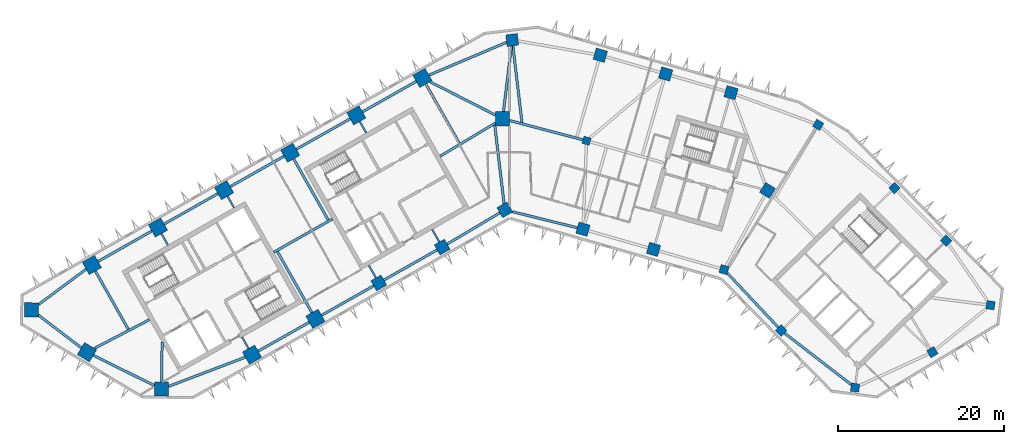
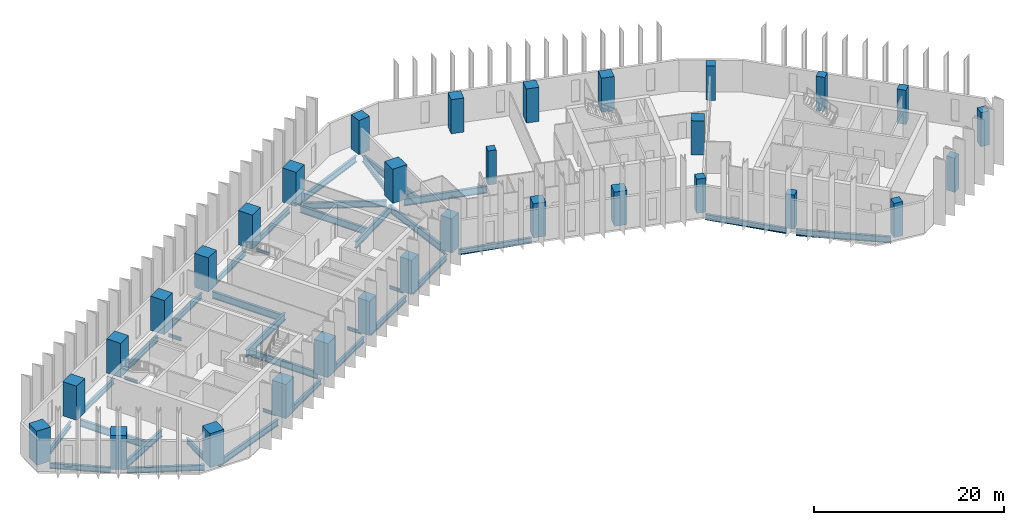
# One storey, part 1 of 11: 36 beams, 31 columns.
"""IFC4 building model written with IfcOpenShell, lengths in metres."""

from ifc_helpers import new_model, si_unit, direction, frame, origin, origin_2d, place, context, subcontext, project, spatial, rectangle, i_section, extrude, material, material_profile, profile_set, type_object, element, save


model = new_model("IFC4")

# Units and contexts
model_context = context("Model", 3, precision=1e-05, world=origin(), true_north=direction((0.0, 1.0)))
body_context = subcontext(model_context, "Body", "Model", "MODEL_VIEW")
ifc_project = project(units=[si_unit("LENGTHUNIT", "METRE"), si_unit("AREAUNIT", "SQUARE_METRE"), si_unit("VOLUMEUNIT", "CUBIC_METRE"), si_unit("PLANEANGLEUNIT", "RADIAN"), si_unit("MASSUNIT", "GRAM", prefix="KILO")], contexts=[model_context])

# Site, building, storey
site_placement = place(None, origin())
site = spatial("IfcSite", under=ifc_project, at=site_placement, CompositionType="ELEMENT")
building_placement = place(site_placement, origin())
building = spatial("IfcBuilding", under=site, at=building_placement, Name="Binnacle Exchange Tower", CompositionType="ELEMENT")
storey_placement = place(building_placement, frame((0.0, 0.0, 105.89990234375)))
storey = spatial("IfcBuildingStorey", under=building, at=storey_placement, Name="L21", CompositionType="ELEMENT", Elevation=105.89990234375)

# Columns
ifc_material_1 = material(Name="Concrete C60/75", Category="concrete")
ifc_material_profile_1 = material_profile(ifc_material_1, rectangle(XDim=0.89990234375, YDim=0.89990234375, at=origin_2d()), Name="Column 900x900 C60/75")
ifc_profile_set_1 = profile_set([ifc_material_profile_1], Name="Concrete C60/75")
column_type_1 = type_object("IfcColumnType", Name="Column 900x900 C60/75", PredefinedType="COLUMN", material=ifc_profile_set_1)
column_placement = place(storey_placement, frame((9.240966796875, 57.35009765625, 0.0), z_axis=(0.0, 0.0, 1.0), x_axis=(0.961261695938, -0.275637355817, 0.0)))
element("IfcColumn", 1, at=column_placement, inside=storey, type_object=column_type_1, Name="S:COL:C19:L21", PredefinedType="COLUMN", context=body_context, shape_type="SweptSolid", body=[
    extrude(rectangle(XDim=0.89990234375, YDim=0.89990234375, at=origin_2d()), origin(), (0.0, 0.0, 1.0), 4.400146484375),
])
ifc_material_2 = material(Name="Concrete C70/85", Category="concrete")
ifc_material_profile_2 = material_profile(ifc_material_2, rectangle(XDim=1.0, YDim=1.0, at=origin_2d()), Name="Mega column 1000x1000 C70/85")
ifc_profile_set_2 = profile_set([ifc_material_profile_2], Name="Concrete C70/85")
column_type_2 = type_object("IfcColumnType", Name="Mega column 1000x1000 C70/85", PredefinedType="COLUMN", material=ifc_profile_set_2)
for number, where, z_axis, x_axis, name in (
    (2, (37.0849609375, 59.262451171875, 0.0), (0.0, 0.0, 1.0), (-0.859406411501, 0.511293086077, 0.0), "S:COL:MC57:L21"),
    (3, (25.766845703125, 41.85986328125, 0.0), (0.0, 0.0, 1.0), (0.961261695938, -0.275637355817, 0.0), "S:COL:MC56:L21"),
    (4, (32.64111328125, 34.530029296875, 0.0), (0.0, 0.0, 1.0), (0.7009092643, -0.713250449154, 0.0), "S:COL:MC59:L21"),
    (5, (41.519775390625, 27.6748046875, 0.0), (0.0, 0.0, 1.0), (0.99200494968, -0.126198969136, 0.0), "S:COL:MC61:L21"),
    (6, (50.81201171875, 31.930908203125, 0.0), (0.0, 0.0, 1.0), (0.857167300702, 0.51503807491, 0.0), "S:COL:MC63:L21"),
    (7, (57.799072265625, 37.5810546875, 0.0), (0.0, 0.0, 1.0), (0.126198969136, 0.99200494968, 0.0), "S:COL:MC62:L21"),
    (8, (52.466796875, 45.33935546875, 0.0), (0.0, 0.0, 1.0), (-0.7009092643, 0.713250449154, 0.0), "S:COL:MC60:L21"),
    (9, (46.248291015625, 51.667236328125, 0.0), (0.0, 0.0, 1.0), (-0.7009092643, 0.713250449154, 0.0), "S:COL:MC58:L21"),
):
    element("IfcColumn", number, at=place(storey_placement, frame(where, z_axis=z_axis, x_axis=x_axis)), inside=storey, type_object=column_type_2, Name=name, PredefinedType="COLUMN", context=body_context, shape_type="SweptSolid", body=[
        extrude(rectangle(XDim=1.0, YDim=1.0, at=origin_2d()), origin(), (0.0, 0.0, 1.0), 4.400146484375),
    ])
ifc_material_profile_3 = material_profile(ifc_material_2, rectangle(XDim=1.39990234375, YDim=1.39990234375, at=origin_2d()), Name="Mega column 1400x1400 C70/85")
ifc_profile_set_3 = profile_set([ifc_material_profile_3], Name="Concrete C70/85")
column_type_3 = type_object("IfcColumnType", Name="Mega column 1400x1400 C70/85", PredefinedType="COLUMN", material=ifc_profile_set_3)
for number, where, z_axis, x_axis, name in (
    (10, (26.602783203125, 63.12353515625, 0.0), (0.0, 0.0, 1.0), (-0.961261695938, 0.275637355817, 0.0), "S:COL:MC52:L21"),
    (11, (18.746337890625, 65.376220703125, 0.0), (0.0, 0.0, 1.0), (-0.961261695938, 0.275637355817, 0.0), "S:COL:MC50:L21"),
    (12, (10.889892578125, 67.62890625, 0.0), (0.0, 0.0, 1.0), (-0.961261695938, 0.275637355817, 0.0), "S:COL:MC48:L21"),
    (13, (0.300048828125, 69.464111328125, 0.0), (0.0, 0.0, 1.0), (-0.993068456955, -0.117537397458, 0.0), "S:COL:MC47:L21"),
    (14, (-15.736328125, 40.257080078125, 0.0), (0.0, 0.0, 1.0), (0.87035569594, 0.492423560103, 0.0), "S:COL:MC24:L21"),
    (15, (-8.116943359375, 44.568115234375, 0.0), (0.0, 0.0, 1.0), (0.87035569594, 0.492423560103, 0.0), "S:COL:MC35:L21"),
    (16, (-0.5908203125, 49.04443359375, 0.0), (0.0, 0.0, 1.0), (0.87035569594, 0.492423560103, 0.0), "S:COL:MC46:L21"),
    (17, (8.8095703125, 46.722412109375, 0.0), (0.0, 0.0, 1.0), (0.961261695938, -0.275637355817, 0.0), "S:COL:MC49:L21"),
    (18, (17.2880859375, 44.291015625, 0.0), (0.0, 0.0, 1.0), (0.961261695938, -0.275637355817, 0.0), "S:COL:MC51:L21"),
    (19, (30.989501953125, 51.38623046875, 0.0), (0.0, 0.0, 1.0), (0.529919264233, 0.848048096156, 0.0), "S:COL:MC55:L21"),
):
    element("IfcColumn", number, at=place(storey_placement, frame(where, z_axis=z_axis, x_axis=x_axis)), inside=storey, type_object=column_type_3, Name=name, PredefinedType="COLUMN", context=body_context, shape_type="SweptSolid", body=[
        extrude(rectangle(XDim=1.39990234375, YDim=1.39990234375, at=origin_2d()), origin(), (0.0, 0.0, 1.0), 4.400146484375),
    ])
ifc_material_profile_4 = material_profile(ifc_material_2, rectangle(XDim=1.699951171875, YDim=1.699951171875, at=origin_2d()), Name="Mega column 1700x1700 C70/85")
ifc_profile_set_4 = profile_set([ifc_material_profile_4], Name="Concrete C70/85")
column_type_4 = type_object("IfcColumnType", Name="Mega column 1700x1700 C70/85", PredefinedType="COLUMN", material=ifc_profile_set_4)
for number, where, z_axis, x_axis, name in (
    (20, (-10.4951171875, 64.901611328125, 0.0), (0.0, 0.0, 1.0), (-0.87035569594, -0.492423560103, 0.0), "S:COL:MC38:L21"),
    (21, (-18.44140625, 60.406005859375, 0.0), (0.0, 0.0, 1.0), (-0.87035569594, -0.492423560103, 0.0), "S:COL:MC29:L21"),
    (22, (-26.3876953125, 55.91015625, 0.0), (0.0, 0.0, 1.0), (-0.87035569594, -0.492423560103, 0.0), "S:COL:MC21:L21"),
    (23, (-34.333740234375, 51.414306640625, 0.0), (0.0, 0.0, 1.0), (-0.87035569594, -0.492423560103, 0.0), "S:COL:MC13:L21"),
    (24, (-42.280029296875, 46.918701171875, 0.0), (0.0, 0.0, 1.0), (-0.87035569594, -0.492423560103, 0.0), "S:COL:MC08:L21"),
    (25, (-50.226318359375, 42.4228515625, 0.0), (0.0, 0.0, 1.0), (-0.87035569594, -0.492423560103, 0.0), "S:COL:MC04:L21"),
    (26, (-57.492919921875, 37.02734375, 0.0), (0.0, 0.0, 1.0), (-0.013089595571, -0.999914327574, 0.0), "S:COL:MC02:L21"),
    (27, (-50.81201171875, 31.930908203125, 0.0), (0.0, 0.0, 1.0), (0.857167300702, -0.51503807491, 0.0), "S:COL:MC01:L21"),
    (28, (-41.857666015625, 27.494873046875, 0.0), (0.0, 0.0, 1.0), (0.999914327574, -0.013089595571, 0.0), "S:COL:MC03:L21"),
    (29, (-30.9755859375, 31.63525390625, 0.0), (0.0, 0.0, 1.0), (0.87035569594, 0.492423560103, 0.0), "S:COL:MC07:L21"),
    (30, (-23.35595703125, 35.9462890625, 0.0), (0.0, 0.0, 1.0), (0.87035569594, 0.492423560103, 0.0), "S:COL:MC16:L21"),
    (31, (-0.85009765625, 60.0, 0.0), (0.0, 0.0, 1.0), (0.0, 1.0, 0.0), "S:COL:MC45:L21"),
):
    element("IfcColumn", number, at=place(storey_placement, frame(where, z_axis=z_axis, x_axis=x_axis)), inside=storey, type_object=column_type_4, Name=name, PredefinedType="COLUMN", context=body_context, shape_type="SweptSolid", body=[
        extrude(rectangle(XDim=1.699951171875, YDim=1.699951171875, at=origin_2d()), origin(), (0.0, 0.0, 1.0), 4.400146484375),
    ])

# Beams
ifc_material_3 = material(Name="Steel S355 (SHN355)", Category="steel")
ifc_material_profile_5 = material_profile(ifc_material_3, i_section(OverallWidth=0.300048828125, OverallDepth=0.699951171875, WebThickness=0.012939453125, FlangeThickness=0.02392578125, FilletRadius=0.028076171875, at=origin_2d()), Name="H 700x300x13x24")
ifc_profile_set_5 = profile_set([ifc_material_profile_5], Name="Steel S355 (SHN355)")
beam_type_1 = type_object("IfcBeamType", Name="Edge girder H 700x300x13x24 Steel S355 (SHN355)", PredefinedType="SPANDREL", material=ifc_profile_set_5)
beam_1_placement = place(storey_placement, frame((-56.6513671875, 36.38525390625, -0.669921875), z_axis=(0.795093040263, -0.606487474994, 0.0), x_axis=(0.606487474994, 0.795093040263, 0.0)))
element("IfcBeam", 32, at=beam_1_placement, inside=storey, type_object=beam_type_1, Name="S:BM:edge:L21:015", PredefinedType="SPANDREL", context=body_context, shape_type="SweptSolid", body=[
    extrude(i_section(OverallWidth=0.300048828125, OverallDepth=0.699951171875, WebThickness=0.012939453125, FlangeThickness=0.02392578125, FilletRadius=0.028076171875, at=origin_2d()), origin(), (0.0, 0.0, 1.0), 6.489013671875),
])
beam_2_placement = place(storey_placement, frame((-50.913818359375, 41.912353515625, -0.669921875), z_axis=(-0.80288535334, -0.59613346609, 0.0), x_axis=(0.59613346609, -0.80288535334, 0.0)))
element("IfcBeam", 33, at=beam_2_placement, inside=storey, type_object=beam_type_1, Name="S:BM:edge:L21:016", PredefinedType="SPANDREL", context=body_context, shape_type="SweptSolid", body=[
    extrude(i_section(OverallWidth=0.300048828125, OverallDepth=0.699951171875, WebThickness=0.012939453125, FlangeThickness=0.02392578125, FilletRadius=0.028076171875, at=origin_2d()), origin(), (0.0, 0.0, 1.0), 7.125244140625),
])
beam_3_placement = place(storey_placement, frame((-43.019775390625, 46.5, -0.669921875), z_axis=(-0.870364477798, -0.492408037898, 0.0), x_axis=(0.492408037898, -0.870364477798, 0.0)))
element("IfcBeam", 34, at=beam_3_placement, inside=storey, type_object=beam_type_1, Name="S:BM:edge:L21:018", PredefinedType="SPANDREL", context=body_context, shape_type="SweptSolid", body=[
    extrude(i_section(OverallWidth=0.300048828125, OverallDepth=0.699951171875, WebThickness=0.012939453125, FlangeThickness=0.02392578125, FilletRadius=0.028076171875, at=origin_2d()), origin(), (0.0, 0.0, 1.0), 7.4296875),
])
beam_4_placement = place(storey_placement, frame((-35.073486328125, 50.995849609375, -0.669921875), z_axis=(-0.870372444894, -0.492393955253, 0.0), x_axis=(0.492393955253, -0.870372444894, 0.0)))
element("IfcBeam", 35, at=beam_4_placement, inside=storey, type_object=beam_type_1, Name="S:BM:edge:L21:020", PredefinedType="SPANDREL", context=body_context, shape_type="SweptSolid", body=[
    extrude(i_section(OverallWidth=0.300048828125, OverallDepth=0.699951171875, WebThickness=0.012939453125, FlangeThickness=0.02392578125, FilletRadius=0.028076171875, at=origin_2d()), origin(), (0.0, 0.0, 1.0), 7.429931640625),
])
beam_5_placement = place(storey_placement, frame((-30.23583984375, 32.053955078125, -0.669921875), z_axis=(0.870373276953, 0.492392484473, 0.0), x_axis=(-0.492392484473, 0.870373276953, 0.0)))
element("IfcBeam", 36, at=beam_5_placement, inside=storey, type_object=beam_type_1, Name="S:BM:edge:L21:021", PredefinedType="SPANDREL", context=body_context, shape_type="SweptSolid", body=[
    extrude(i_section(OverallWidth=0.300048828125, OverallDepth=0.699951171875, WebThickness=0.012939453125, FlangeThickness=0.02392578125, FilletRadius=0.028076171875, at=origin_2d()), origin(), (0.0, 0.0, 1.0), 7.0546875),
])
beam_6_placement = place(storey_placement, frame((-27.12744140625, 55.49169921875, -0.669921875), z_axis=(-0.870350394687, -0.492432929919, 0.0), x_axis=(0.492432929919, -0.870350394687, 0.0)))
element("IfcBeam", 37, at=beam_6_placement, inside=storey, type_object=beam_type_1, Name="S:BM:edge:L21:022", PredefinedType="SPANDREL", context=body_context, shape_type="SweptSolid", body=[
    extrude(i_section(OverallWidth=0.300048828125, OverallDepth=0.699951171875, WebThickness=0.012939453125, FlangeThickness=0.02392578125, FilletRadius=0.028076171875, at=origin_2d()), origin(), (0.0, 0.0, 1.0), 7.429931640625),
])
beam_7_placement = place(storey_placement, frame((-22.6162109375, 36.36474609375, -0.669921875), z_axis=(0.870345646157, 0.492441322612, 0.0), x_axis=(-0.492441322612, 0.870345646157, 0.0)))
element("IfcBeam", 38, at=beam_7_placement, inside=storey, type_object=beam_type_1, Name="S:BM:edge:L21:023", PredefinedType="SPANDREL", context=body_context, shape_type="SweptSolid", body=[
    extrude(i_section(OverallWidth=0.300048828125, OverallDepth=0.699951171875, WebThickness=0.012939453125, FlangeThickness=0.02392578125, FilletRadius=0.028076171875, at=origin_2d()), origin(), (0.0, 0.0, 1.0), 7.20458984375),
])
beam_8_placement = place(storey_placement, frame((-19.18115234375, 59.9873046875, -0.669921875), z_axis=(-0.870364477798, -0.492408037898, 0.0), x_axis=(0.492408037898, -0.870364477798, 0.0)))
element("IfcBeam", 39, at=beam_8_placement, inside=storey, type_object=beam_type_1, Name="S:BM:edge:L21:024", PredefinedType="SPANDREL", context=body_context, shape_type="SweptSolid", body=[
    extrude(i_section(OverallWidth=0.300048828125, OverallDepth=0.699951171875, WebThickness=0.012939453125, FlangeThickness=0.02392578125, FilletRadius=0.028076171875, at=origin_2d()), origin(), (0.0, 0.0, 1.0), 7.4296875),
])
beam_9_placement = place(storey_placement, frame((-15.127197265625, 40.601806640625, -0.669921875), z_axis=(0.870355645737, 0.492423648837, 0.0), x_axis=(-0.492423648837, 0.870355645737, 0.0)))
element("IfcBeam", 40, at=beam_9_placement, inside=storey, type_object=beam_type_1, Name="S:BM:edge:L21:025", PredefinedType="SPANDREL", context=body_context, shape_type="SweptSolid", body=[
    extrude(i_section(OverallWidth=0.300048828125, OverallDepth=0.699951171875, WebThickness=0.012939453125, FlangeThickness=0.02392578125, FilletRadius=0.028076171875, at=origin_2d()), origin(), (0.0, 0.0, 1.0), 7.3544921875),
])
beam_10_placement = place(storey_placement, frame((-11.23486328125, 64.483154296875, -0.669921875), z_axis=(-0.870364477798, -0.492408037898, 0.0), x_axis=(0.492408037898, -0.870364477798, 0.0)))
element("IfcBeam", 41, at=beam_10_placement, inside=storey, type_object=beam_type_1, Name="S:BM:edge:L21:026", PredefinedType="SPANDREL", context=body_context, shape_type="SweptSolid", body=[
    extrude(i_section(OverallWidth=0.300048828125, OverallDepth=0.699951171875, WebThickness=0.012939453125, FlangeThickness=0.02392578125, FilletRadius=0.028076171875, at=origin_2d()), origin(), (0.0, 0.0, 1.0), 7.4296875),
])
beam_11_placement = place(storey_placement, frame((-7.51513671875, 44.926025390625, -0.669921875), z_axis=(0.859466137143, 0.511192682952, 0.0), x_axis=(-0.511192682952, 0.859466137143, 0.0)))
element("IfcBeam", 42, at=beam_11_placement, inside=storey, type_object=beam_type_1, Name="S:BM:edge:L21:027", PredefinedType="SPANDREL", context=body_context, shape_type="SweptSolid", body=[
    extrude(i_section(OverallWidth=0.300048828125, OverallDepth=0.699951171875, WebThickness=0.012939453125, FlangeThickness=0.02392578125, FilletRadius=0.028076171875, at=origin_2d()), origin(), (0.0, 0.0, 1.0), 7.356201171875),
])
beam_12_placement = place(storey_placement, frame((0.343994140625, 48.8134765625, -0.669921875), z_axis=(0.970820959584, -0.239805472064, 0.0), x_axis=(0.239805472064, 0.970820959584, 0.0)))
element("IfcBeam", 43, at=beam_12_placement, inside=storey, type_object=beam_type_1, Name="S:BM:edge:L21:029", PredefinedType="SPANDREL", context=body_context, shape_type="SweptSolid", body=[
    extrude(i_section(OverallWidth=0.300048828125, OverallDepth=0.699951171875, WebThickness=0.012939453125, FlangeThickness=0.02392578125, FilletRadius=0.028076171875, at=origin_2d()), origin(), (0.0, 0.0, 1.0), 8.019287109375),
])
ifc_material_profile_6 = material_profile(ifc_material_3, i_section(OverallWidth=0.302001953125, OverallDepth=0.7080078125, WebThickness=0.014892578125, FlangeThickness=0.028076171875, FilletRadius=0.028076171875, at=origin_2d()), Name="H 708x302x15x28")
ifc_profile_set_6 = profile_set([ifc_material_profile_6], Name="Steel S355 (SHN355)")
beam_type_2 = type_object("IfcBeamType", Name="Edge girder H 708x302x15x28 Steel S355 (SHN355)", PredefinedType="SPANDREL", material=ifc_profile_set_6)
beam_13_placement = place(storey_placement, frame((-50.0478515625, 31.55224609375, -0.673828125), z_axis=(0.896059216286, -0.443934545749, 0.0), x_axis=(0.443934545749, 0.896059216286, 0.0)))
element("IfcBeam", 44, at=beam_13_placement, inside=storey, type_object=beam_type_2, Name="S:BM:edge:L21:017", PredefinedType="SPANDREL", context=body_context, shape_type="SweptSolid", body=[
    extrude(i_section(OverallWidth=0.302001953125, OverallDepth=0.7080078125, WebThickness=0.014892578125, FlangeThickness=0.028076171875, FilletRadius=0.028076171875, at=origin_2d()), origin(), (0.0, 0.0, 1.0), 8.197509765625),
])
beam_14_placement = place(storey_placement, frame((26.165283203125, 41.43505859375, -0.673828125), z_axis=(0.684076068391, -0.729410674898, 0.0), x_axis=(0.729410674898, 0.684076068391, 0.0)))
element("IfcBeam", 45, at=beam_14_placement, inside=storey, type_object=beam_type_2, Name="S:BM:edge:L21:035", PredefinedType="SPANDREL", context=body_context, shape_type="SweptSolid", body=[
    extrude(i_section(OverallWidth=0.302001953125, OverallDepth=0.7080078125, WebThickness=0.014892578125, FlangeThickness=0.028076171875, FilletRadius=0.028076171875, at=origin_2d()), origin(), (0.0, 0.0, 1.0), 8.966552734375),
])
ifc_material_profile_7 = material_profile(ifc_material_3, i_section(OverallWidth=0.302001953125, OverallDepth=0.80810546875, WebThickness=0.01611328125, FlangeThickness=0.030029296875, FilletRadius=0.028076171875, at=origin_2d()), Name="H 808x302x16x30")
ifc_profile_set_7 = profile_set([ifc_material_profile_7], Name="Steel S355 (SHN355)")
beam_type_3 = type_object("IfcBeamType", Name="Edge girder H 808x302x16x30 Steel S355 (SHN355)", PredefinedType="SPANDREL", material=ifc_profile_set_7)
beam_15_placement = place(storey_placement, frame((-41.00341796875, 27.81982421875, -0.723876953125), z_axis=(0.934628738252, 0.355624973297, 0.0), x_axis=(-0.355624973297, 0.934628738252, 0.0)))
element("IfcBeam", 46, at=beam_15_placement, inside=storey, type_object=beam_type_3, Name="S:BM:edge:L21:019", PredefinedType="SPANDREL", context=body_context, shape_type="SweptSolid", body=[
    extrude(i_section(OverallWidth=0.302001953125, OverallDepth=0.80810546875, WebThickness=0.01611328125, FlangeThickness=0.030029296875, FilletRadius=0.028076171875, at=origin_2d()), origin(), (0.0, 0.0, 1.0), 9.869384765625),
])
beam_16_placement = place(storey_placement, frame((-0.37109375, 69.180419921875, -0.723876953125), z_axis=(-0.921114465748, -0.389291845523, 0.0), x_axis=(0.389291845523, -0.921114465748, 0.0)))
element("IfcBeam", 47, at=beam_16_placement, inside=storey, type_object=beam_type_3, Name="S:BM:edge:L21:028", PredefinedType="SPANDREL", context=body_context, shape_type="SweptSolid", body=[
    extrude(i_section(OverallWidth=0.302001953125, OverallDepth=0.80810546875, WebThickness=0.01611328125, FlangeThickness=0.030029296875, FilletRadius=0.028076171875, at=origin_2d()), origin(), (0.0, 0.0, 1.0), 10.13525390625),
])
beam_17_placement = place(storey_placement, frame((33.040771484375, 34.2216796875, -0.723876953125), z_axis=(0.791519159984, -0.611144352324, 0.0), x_axis=(0.611144352324, 0.791519159984, 0.0)))
element("IfcBeam", 48, at=beam_17_placement, inside=storey, type_object=beam_type_3, Name="S:BM:edge:L21:036", PredefinedType="SPANDREL", context=body_context, shape_type="SweptSolid", body=[
    extrude(i_section(OverallWidth=0.302001953125, OverallDepth=0.80810546875, WebThickness=0.01611328125, FlangeThickness=0.030029296875, FilletRadius=0.028076171875, at=origin_2d()), origin(), (0.0, 0.0, 1.0), 10.13232421875),
])
ifc_material_profile_8 = material_profile(ifc_material_3, i_section(OverallWidth=0.199951171875, OverallDepth=0.39990234375, WebThickness=0.008056640625, FlangeThickness=0.012939453125, FilletRadius=0.01611328125, at=origin_2d()), Name="H 400x200x8x13")
ifc_profile_set_8 = profile_set([ifc_material_profile_8], Name="Steel S355 (SHN355)")
beam_type_4 = type_object("IfcBeamType", Name="Floor beam H 400x200x8x13 Steel S355 (SHN355)", PredefinedType="BEAM", material=ifc_profile_set_8)
beam_18_placement = place(storey_placement, frame((-41.861328125, 46.178955078125, -0.52001953125), z_axis=(0.492366981934, -0.870387703901, 0.0), x_axis=(0.870387703901, 0.492366981934, 0.0)))
element("IfcBeam", 49, at=beam_18_placement, inside=storey, type_object=beam_type_4, Name="S:BM:cross:L21:044", PredefinedType="BEAM", context=body_context, shape_type="SweptSolid", body=[
    extrude(i_section(OverallWidth=0.199951171875, OverallDepth=0.39990234375, WebThickness=0.008056640625, FlangeThickness=0.012939453125, FilletRadius=0.01611328125, at=origin_2d()), origin(), (0.0, 0.0, 1.0), 1.584228515625),
])
beam_19_placement = place(storey_placement, frame((-33.915283203125, 50.674560546875, -0.52001953125), z_axis=(0.492483715062, -0.870321659158, 0.0), x_axis=(0.870321659158, 0.492483715062, 0.0)))
element("IfcBeam", 50, at=beam_19_placement, inside=storey, type_object=beam_type_4, Name="S:BM:cross:L21:046", PredefinedType="BEAM", context=body_context, shape_type="SweptSolid", body=[
    extrude(i_section(OverallWidth=0.199951171875, OverallDepth=0.39990234375, WebThickness=0.008056640625, FlangeThickness=0.012939453125, FilletRadius=0.01611328125, at=origin_2d()), origin(), (0.0, 0.0, 1.0), 1.58447265625),
])
for number, where, z_axis, x_axis, name in (
    (51, (-31.394287109375, 32.375, -0.52001953125), (-0.492366981934, 0.870387703901, 0.0), (-0.870387703901, -0.492366981934, 0.0), "S:BM:cross:L21:047"),
    (52, (-18.022705078125, 59.666259765625, -0.52001953125), (0.492366981934, -0.870387703901, 0.0), (0.870387703901, 0.492366981934, 0.0), "S:BM:cross:L21:050"),
):
    element("IfcBeam", number, at=place(storey_placement, frame(where, z_axis=z_axis, x_axis=x_axis)), inside=storey, type_object=beam_type_4, Name=name, PredefinedType="BEAM", context=body_context, shape_type="SweptSolid", body=[
        extrude(i_section(OverallWidth=0.199951171875, OverallDepth=0.39990234375, WebThickness=0.008056640625, FlangeThickness=0.012939453125, FilletRadius=0.01611328125, at=origin_2d()), origin(), (0.0, 0.0, 1.0), 1.584228515625),
    ])
for number, where, z_axis, x_axis, name in (
    (53, (-16.0810546875, 40.866455078125, -0.52001953125), (-0.492405102951, 0.870366138236, 0.0), (-0.870366138236, -0.492405102951, 0.0), "S:BM:cross:L21:051"),
    (54, (-8.461669921875, 45.17724609375, -0.52001953125), (-0.492405102951, 0.870366138236, 0.0), (-0.870366138236, -0.492405102951, 0.0), "S:BM:cross:L21:053"),
):
    element("IfcBeam", number, at=place(storey_placement, frame(where, z_axis=z_axis, x_axis=x_axis)), inside=storey, type_object=beam_type_4, Name=name, PredefinedType="BEAM", context=body_context, shape_type="SweptSolid", body=[
        extrude(i_section(OverallWidth=0.199951171875, OverallDepth=0.39990234375, WebThickness=0.008056640625, FlangeThickness=0.012939453125, FilletRadius=0.01611328125, at=origin_2d()), origin(), (0.0, 0.0, 1.0), 1.734375),
    ])
ifc_material_profile_9 = material_profile(ifc_material_3, i_section(OverallWidth=0.300048828125, OverallDepth=0.699951171875, WebThickness=0.012939453125, FlangeThickness=0.02392578125, FilletRadius=0.028076171875, at=origin_2d()), Name="H 700x300x13x24")
ifc_profile_set_9 = profile_set([ifc_material_profile_9], Name="Steel S355 (SHN355)")
beam_type_5 = type_object("IfcBeamType", Name="Floor beam H 700x300x13x24 Steel S355 (SHN355)", PredefinedType="BEAM", material=ifc_profile_set_9)
beam_20_placement = place(storey_placement, frame((-41.8466796875, 28.3447265625, -0.669921875), z_axis=(0.013120628196, 0.999913920853, 0.0), x_axis=(-0.999913920853, 0.013120628196, 0.0)))
element("IfcBeam", 55, at=beam_20_placement, inside=storey, type_object=beam_type_5, Name="S:BM:cross:L21:045", PredefinedType="BEAM", context=body_context, shape_type="SweptSolid", body=[
    extrude(i_section(OverallWidth=0.300048828125, OverallDepth=0.699951171875, WebThickness=0.012939453125, FlangeThickness=0.02392578125, FilletRadius=0.028076171875, at=origin_2d()), origin(), (0.0, 0.0, 1.0), 4.80078125),
])
ifc_material_profile_10 = material_profile(ifc_material_3, i_section(OverallWidth=0.300048828125, OverallDepth=0.89990234375, WebThickness=0.01611328125, FlangeThickness=0.028076171875, FilletRadius=0.028076171875, at=origin_2d()), Name="H 900x300x16x28")
ifc_profile_set_10 = profile_set([ifc_material_profile_10], Name="Steel S355 (SHN355)")
beam_type_6 = type_object("IfcBeamType", Name="Floor beam H 900x300x16x28 Steel S355 (SHN355)", PredefinedType="BEAM", material=ifc_profile_set_10)
beam_21_placement = place(storey_placement, frame((-49.8076171875, 41.68310546875, -0.77001953125), z_axis=(0.492423370769, -0.87035580306, 0.0), x_axis=(0.87035580306, 0.492423370769, 0.0)))
element("IfcBeam", 56, at=beam_21_placement, inside=storey, type_object=beam_type_6, Name="S:BM:cross:L21:043", PredefinedType="BEAM", context=body_context, shape_type="SweptSolid", body=[
    extrude(i_section(OverallWidth=0.300048828125, OverallDepth=0.89990234375, WebThickness=0.01611328125, FlangeThickness=0.028076171875, FilletRadius=0.028076171875, at=origin_2d()), origin(), (0.0, 0.0, 1.0), 8.041259765625),
])
beam_22_placement = place(storey_placement, frame((-10.076416015625, 64.161865234375, -0.77001953125), z_axis=(0.492410737926, -0.870362950254, 0.0), x_axis=(0.870362950254, 0.492410737926, 0.0)))
element("IfcBeam", 57, at=beam_22_placement, inside=storey, type_object=beam_type_6, Name="S:BM:cross:L21:052", PredefinedType="BEAM", context=body_context, shape_type="SweptSolid", body=[
    extrude(i_section(OverallWidth=0.300048828125, OverallDepth=0.89990234375, WebThickness=0.01611328125, FlangeThickness=0.028076171875, FilletRadius=0.028076171875, at=origin_2d()), origin(), (0.0, 0.0, 1.0), 8.16943359375),
])
ifc_material_profile_11 = material_profile(ifc_material_3, i_section(OverallWidth=0.302001953125, OverallDepth=0.912109375, WebThickness=0.01806640625, FlangeThickness=0.033935546875, FilletRadius=0.028076171875, at=origin_2d()), Name="H 912x302x18x34")
ifc_profile_set_11 = profile_set([ifc_material_profile_11], Name="Steel S355 (SHN355)")
beam_type_7 = type_object("IfcBeamType", Name="Floor beam H 912x302x18x34 Steel S355 (SHN355)", PredefinedType="BEAM", material=ifc_profile_set_11)
for number, where, z_axis, x_axis, name in (
    (58, (-25.968994140625, 55.17041015625, -0.77587890625), (0.492409177884, -0.870363832851, 0.0), (0.870363832851, 0.492409177884, 0.0), "S:BM:cross:L21:048"),
    (59, (-23.774658203125, 36.68603515625, -0.77587890625), (-0.492409177884, 0.870363832851, 0.0), (-0.870363832851, -0.492409177884, 0.0), "S:BM:cross:L21:049"),
):
    element("IfcBeam", number, at=place(storey_placement, frame(where, z_axis=z_axis, x_axis=x_axis)), inside=storey, type_object=beam_type_7, Name=name, PredefinedType="BEAM", context=body_context, shape_type="SweptSolid", body=[
        extrude(i_section(OverallWidth=0.302001953125, OverallDepth=0.912109375, WebThickness=0.01806640625, FlangeThickness=0.033935546875, FilletRadius=0.028076171875, at=origin_2d()), origin(), (0.0, 0.0, 1.0), 8.43408203125),
    ])
ifc_material_profile_12 = material_profile(ifc_material_3, i_section(OverallWidth=0.302978515625, OverallDepth=0.91796875, WebThickness=0.01904296875, FlangeThickness=0.037109375, FilletRadius=0.028076171875, at=origin_2d()), Name="H 918x303x19x37")
ifc_profile_set_12 = profile_set([ifc_material_profile_12], Name="Steel S355 (SHN355)")
beam_type_8 = type_object("IfcBeamType", Name="Floor beam H 918x303x19x37 Steel S355 (SHN355)", PredefinedType="BEAM", material=ifc_profile_set_12)
beam_23_placement = place(storey_placement, frame((-0.68017578125, 49.79833984375, -0.77880859375), z_axis=(-0.11752294526, 0.993070167379, 0.0), x_axis=(-0.993070167379, -0.11752294526, 0.0)))
element("IfcBeam", 60, at=beam_23_placement, inside=storey, type_object=beam_type_8, Name="S:BM:cross:L21:054", PredefinedType="BEAM", context=body_context, shape_type="SweptSolid", body=[
    extrude(i_section(OverallWidth=0.302978515625, OverallDepth=0.91796875, WebThickness=0.01904296875, FlangeThickness=0.037109375, FilletRadius=0.028076171875, at=origin_2d()), origin(), (0.0, 0.0, 1.0), 9.537353515625),
])
beam_24_placement = place(storey_placement, frame((0.38232421875, 68.76904296875, -0.77880859375), z_axis=(0.117557103339, -0.993066124412, 0.0), x_axis=(0.993066124412, 0.117557103339, 0.0)))
element("IfcBeam", 61, at=beam_24_placement, inside=storey, type_object=beam_type_8, Name="S:BM:cross:L21:055", PredefinedType="BEAM", context=body_context, shape_type="SweptSolid", body=[
    extrude(i_section(OverallWidth=0.302978515625, OverallDepth=0.91796875, WebThickness=0.01904296875, FlangeThickness=0.037109375, FilletRadius=0.028076171875, at=origin_2d()), origin(), (0.0, 0.0, 1.0), 9.2998046875),
])
ifc_material_profile_13 = material_profile(ifc_material_3, i_section(OverallWidth=0.302001953125, OverallDepth=0.7080078125, WebThickness=0.014892578125, FlangeThickness=0.028076171875, FilletRadius=0.028076171875, at=origin_2d()), Name="H 708x302x15x28")
ifc_profile_set_13 = profile_set([ifc_material_profile_13], Name="Steel S355 (SHN355)")
beam_type_9 = type_object("IfcBeamType", Name="Spine girder H 708x302x15x28 Steel S355 (SHN355)", PredefinedType="BEAM", material=ifc_profile_set_13)
beam_25_placement = place(storey_placement, frame((-0.74658203125, 60.85009765625, -0.673828125), z_axis=(0.120612669289, 0.992699644408, 0.0), x_axis=(-0.992699644408, 0.120612669289, 0.0)))
element("IfcBeam", 62, at=beam_25_placement, inside=storey, type_object=beam_type_9, Name="S:BM:spine:L21:005", PredefinedType="BEAM", context=body_context, shape_type="SweptSolid", body=[
    extrude(i_section(OverallWidth=0.302001953125, OverallDepth=0.7080078125, WebThickness=0.014892578125, FlangeThickness=0.028076171875, FilletRadius=0.028076171875, at=origin_2d()), origin(), (0.0, 0.0, 1.0), 7.95703125),
])
ifc_material_profile_14 = material_profile(ifc_material_3, i_section(OverallWidth=0.302001953125, OverallDepth=0.80810546875, WebThickness=0.01611328125, FlangeThickness=0.030029296875, FilletRadius=0.028076171875, at=origin_2d()), Name="H 808x302x16x30")
ifc_profile_set_14 = profile_set([ifc_material_profile_14], Name="Steel S355 (SHN355)")
beam_type_10 = type_object("IfcBeamType", Name="Spine girder H 808x302x16x30 Steel S355 (SHN355)", PredefinedType="BEAM", material=ifc_profile_set_14)
beam_26_placement = place(storey_placement, frame((-1.699951171875, 60.431884765625, -0.723876953125), z_axis=(-0.891471296315, 0.45307717648, 0.0), x_axis=(-0.45307717648, -0.891471296315, 0.0)))
element("IfcBeam", 63, at=beam_26_placement, inside=storey, type_object=beam_type_10, Name="S:BM:spine:L21:004", PredefinedType="BEAM", context=body_context, shape_type="SweptSolid", body=[
    extrude(i_section(OverallWidth=0.302001953125, OverallDepth=0.80810546875, WebThickness=0.01611328125, FlangeThickness=0.030029296875, FilletRadius=0.028076171875, at=origin_2d()), origin(), (0.0, 0.0, 1.0), 8.845703125),
])
ifc_material_profile_15 = material_profile(ifc_material_3, i_section(OverallWidth=0.300048828125, OverallDepth=0.89990234375, WebThickness=0.01611328125, FlangeThickness=0.028076171875, FilletRadius=0.028076171875, at=origin_2d()), Name="H 900x300x16x28")
ifc_profile_set_15 = profile_set([ifc_material_profile_15], Name="Steel S355 (SHN355)")
beam_type_11 = type_object("IfcBeamType", Name="Spine girder H 900x300x16x28 Steel S355 (SHN355)", PredefinedType="BEAM", material=ifc_profile_set_15)
beam_27_placement = place(storey_placement, frame((-49.927734375, 32.391357421875, -0.77001953125), z_axis=(0.886979965344, 0.461807904954, 0.0), x_axis=(-0.461807904954, 0.886979965344, 0.0)))
element("IfcBeam", 64, at=beam_27_placement, inside=storey, type_object=beam_type_11, Name="S:BM:spine:L21:001", PredefinedType="BEAM", context=body_context, shape_type="SweptSolid", body=[
    extrude(i_section(OverallWidth=0.300048828125, OverallDepth=0.89990234375, WebThickness=0.01611328125, FlangeThickness=0.028076171875, FilletRadius=0.028076171875, at=origin_2d()), origin(), (0.0, 0.0, 1.0), 7.463623046875),
])
beam_28_placement = place(storey_placement, frame((-8.36328125, 55.489990234375, -0.77001953125), z_axis=(0.857393122678, 0.514662057261, 0.0), x_axis=(-0.514662057261, 0.857393122678, 0.0)))
element("IfcBeam", 65, at=beam_28_placement, inside=storey, type_object=beam_type_11, Name="S:BM:spine:L21:003", PredefinedType="BEAM", context=body_context, shape_type="SweptSolid", body=[
    extrude(i_section(OverallWidth=0.300048828125, OverallDepth=0.89990234375, WebThickness=0.01611328125, FlangeThickness=0.028076171875, FilletRadius=0.028076171875, at=origin_2d()), origin(), (0.0, 0.0, 1.0), 7.771728515625),
])
ifc_material_profile_16 = material_profile(ifc_material_3, i_section(OverallWidth=0.302001953125, OverallDepth=0.912109375, WebThickness=0.01806640625, FlangeThickness=0.033935546875, FilletRadius=0.028076171875, at=origin_2d()), Name="H 912x302x18x34")
ifc_profile_set_16 = profile_set([ifc_material_profile_16], Name="Steel S355 (SHN355)")
beam_type_12 = type_object("IfcBeamType", Name="Spine girder H 912x302x18x34 Steel S355 (SHN355)", PredefinedType="BEAM", material=ifc_profile_set_16)
beam_29_placement = place(storey_placement, frame((-28.365478515625, 43.951416015625, -0.77587890625), z_axis=(0.870350319004, 0.492433063684, 0.0), x_axis=(-0.492433063684, 0.870350319004, 0.0)))
element("IfcBeam", 66, at=beam_29_placement, inside=storey, type_object=beam_type_12, Name="S:BM:spine:L21:002", PredefinedType="BEAM", context=body_context, shape_type="SweptSolid", body=[
    extrude(i_section(OverallWidth=0.302001953125, OverallDepth=0.912109375, WebThickness=0.01806640625, FlangeThickness=0.033935546875, FilletRadius=0.028076171875, at=origin_2d()), origin(), (0.0, 0.0, 1.0), 8.0908203125),
])
ifc_material_profile_17 = material_profile(ifc_material_3, i_section(OverallWidth=0.302978515625, OverallDepth=0.91796875, WebThickness=0.01904296875, FlangeThickness=0.037109375, FilletRadius=0.028076171875, at=origin_2d()), Name="H 918x303x19x37")
ifc_profile_set_17 = profile_set([ifc_material_profile_17], Name="Steel S355 (SHN355)")
beam_type_13 = type_object("IfcBeamType", Name="Spine girder H 918x303x19x37 Steel S355 (SHN355)", PredefinedType="BEAM", material=ifc_profile_set_17)
beam_30_placement = place(storey_placement, frame((0.0, 59.77685546875, -0.77880859375), z_axis=(0.967208488002, -0.253983741089, 0.0), x_axis=(0.253983741089, 0.967208488002, 0.0)))
element("IfcBeam", 67, at=beam_30_placement, inside=storey, type_object=beam_type_13, Name="S:BM:spine:L21:006", PredefinedType="BEAM", context=body_context, shape_type="SweptSolid", body=[
    extrude(i_section(OverallWidth=0.302978515625, OverallDepth=0.91796875, WebThickness=0.01904296875, FlangeThickness=0.037109375, FilletRadius=0.028076171875, at=origin_2d()), origin(), (0.0, 0.0, 1.0), 9.10400390625),
])

save(model, "model.ifc")
